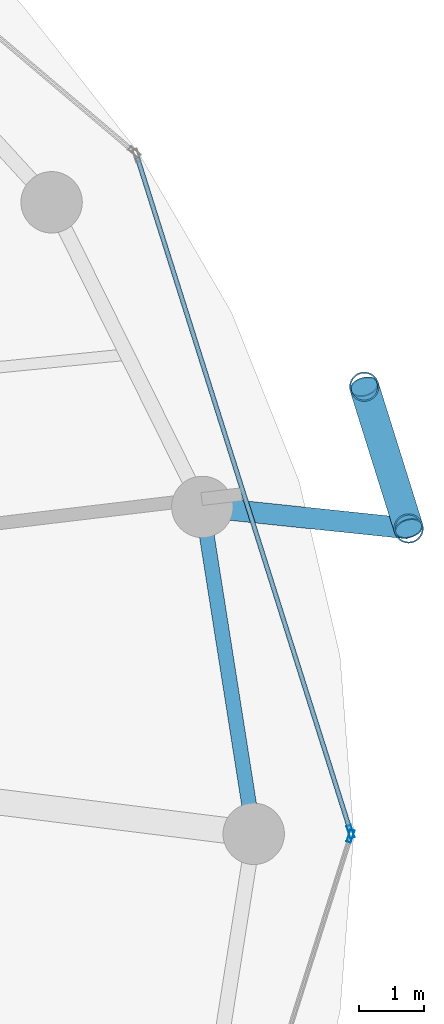
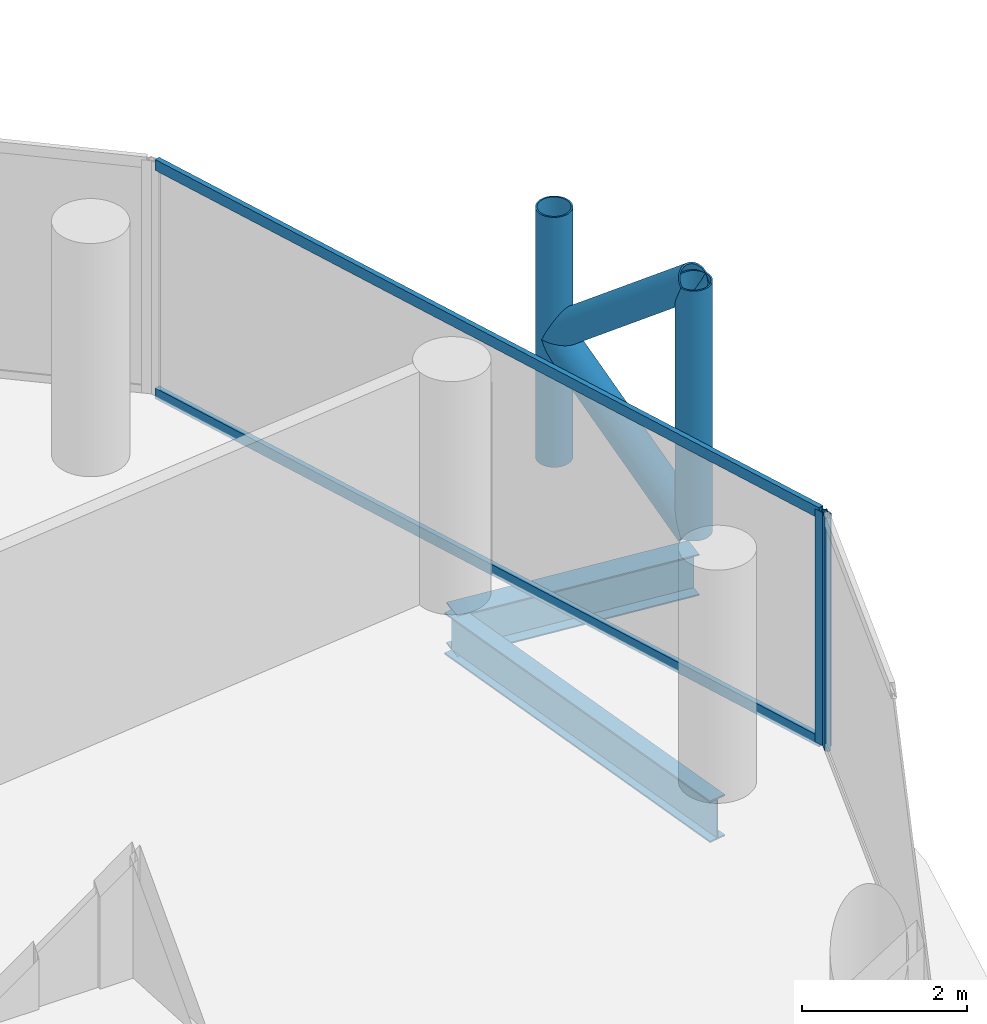
# One storey, part 12 of 26: 8 members, 2 beams, 2 elements without a shape of their own.
"""IFC4 building model written with IfcOpenShell, lengths in metres."""

from ifc_helpers import new_model, si_unit, direction, frame, origin, origin_2d, place, context, subcontext, project, spatial, hollow_rectangle, hollow_circle, i_section, extrude, material, layer, layer_set, material_profile, profile_set, type_object, element, aggregate, save


model = new_model("IFC4")

# Units and contexts
model_context = context("Model", 3, precision=1e-05, world=origin(), true_north=direction((0.0, 1.0)))
body_context = subcontext(model_context, "Body", "Model", "MODEL_VIEW")
ifc_project = project(units=[si_unit("LENGTHUNIT", "METRE"), si_unit("AREAUNIT", "SQUARE_METRE"), si_unit("VOLUMEUNIT", "CUBIC_METRE"), si_unit("PLANEANGLEUNIT", "RADIAN"), si_unit("MASSUNIT", "GRAM", prefix="KILO")], contexts=[model_context])

# Site, building, storey
site_placement = place(None, origin())
site = spatial("IfcSite", under=ifc_project, at=site_placement, CompositionType="ELEMENT")
building_placement = place(site_placement, origin())
building = spatial("IfcBuilding", under=site, at=building_placement, Name="Nuhasar Tower", CompositionType="ELEMENT")
storey_placement = place(building_placement, frame((0.0, 0.0, 118.25)))
storey = spatial("IfcBuildingStorey", under=building, at=storey_placement, Name="L27", CompositionType="ELEMENT", Elevation=118.25)

# Beams
ifc_material_1 = material(Name="Steel S355", Category="steel")
ifc_material_profile_1 = material_profile(ifc_material_1, i_section(OverallWidth=0.22998046875, OverallDepth=0.616943359375, WebThickness=0.01318359375, FlangeThickness=0.022216796875, at=origin_2d()), Name="W24X94")
ifc_profile_set_1 = profile_set([ifc_material_profile_1], Name="Steel S355")
beam_type_1 = type_object("IfcBeamType", Name="BM-RING-W24X94", PredefinedType="SPANDREL", material=ifc_profile_set_1)
beam_1_placement = place(storey_placement, frame((62.35009765625, 26.800048828125, -0.55810546875), z_axis=(-0.155426543608, 0.987847452566, 0.0), x_axis=(-0.987847452566, -0.155426543608, 0.0)))
element("IfcBeam", 1, at=beam_1_placement, inside=storey, type_object=beam_type_1, Name="L27 Perimeter Ring Spandrel 01", PredefinedType="SPANDREL", context=body_context, shape_type="SweptSolid", body=[
    extrude(i_section(OverallWidth=0.22998046875, OverallDepth=0.616943359375, WebThickness=0.01318359375, FlangeThickness=0.022216796875, at=origin_2d()), origin(), (0.0, 0.0, 1.0), 5.122314453125),
])
ifc_material_profile_2 = material_profile(ifc_material_1, i_section(OverallWidth=0.323974609375, OverallDepth=0.611083984375, WebThickness=0.0126953125, FlangeThickness=0.01904296875, at=origin_2d()), Name="W24X104")
ifc_profile_set_2 = profile_set([ifc_material_profile_2], Name="Steel S355")
beam_type_2 = type_object("IfcBeamType", Name="BM-TIE-W24X104", PredefinedType="BEAM", material=ifc_profile_set_2)
beam_2_placement = place(storey_placement, frame((61.553955078125, 31.860107421875, -0.554931640625), z_axis=(0.994569828715, -0.104071397654, 0.0), x_axis=(0.104071397654, 0.994569828715, 0.0)))
element("IfcBeam", 2, at=beam_2_placement, inside=storey, type_object=beam_type_2, Name="L27 Exoskeleton Node Tie Beam 01", PredefinedType="BEAM", context=body_context, shape_type="SweptSolid", body=[
    extrude(i_section(OverallWidth=0.323974609375, OverallDepth=0.611083984375, WebThickness=0.0126953125, FlangeThickness=0.01904296875, at=origin_2d()), origin(), (0.0, 0.0, 1.0), 3.21142578125),
])

# Curtain wall, member
ifc_material_2 = material(Name="Aluminium 6063-T6", Category="aluminium")
ifc_layer = layer(ifc_material_2, 0.199951171875)
ifc_layer_set = layer_set([ifc_layer], Name="Aluminium 6063-T6")
curtain_wall_type = type_object("IfcCurtainWallType", Name="CW-Z2-HTL", PredefinedType="NOTDEFINED", material=ifc_layer_set)
curtain_wall_1_placement = place(storey_placement, origin())
curtain_wall_1 = element("IfcCurtainWall", 3, at=curtain_wall_1_placement, inside=storey, type_object=curtain_wall_type, Name="L27 Unitised Curtain Wall 01", PredefinedType="NOTDEFINED")
ifc_material_profile_3 = material_profile(ifc_material_2, hollow_rectangle(XDim=0.070068359375, YDim=0.199951171875, WallThickness=0.0048828125, at=origin_2d()), Name="CWM-3")
ifc_profile_set_3 = profile_set([ifc_material_profile_3], Name="Aluminium 6063-T6")
member_type_1 = type_object("IfcMemberType", Name="CW-MUL-S3", PredefinedType="MULLION", material=ifc_profile_set_3)
member_1_placement = place(storey_placement, frame((63.849365234375, 26.833251953125, 0.0), z_axis=(0.0, 0.0, 1.0), x_axis=(-0.953433389233, -0.301603667577, 0.0)))
member_1 = element("IfcMember", 4, at=member_1_placement, type_object=member_type_1, Name="CW-Z2 mullion 1", PredefinedType="MULLION", context=body_context, shape_type="SweptSolid", body=[
    extrude(hollow_rectangle(XDim=0.070068359375, YDim=0.199951171875, WallThickness=0.0048828125, at=origin_2d()), origin(), (0.0, 0.0, 1.0), 3.449951171875),
])

curtain_wall_2_placement = place(storey_placement, origin())
curtain_wall_2 = element("IfcCurtainWall", 5, at=curtain_wall_2_placement, inside=storey, type_object=curtain_wall_type, Name="L27 Unitised Curtain Wall 12", PredefinedType="NOTDEFINED")
member_2_placement = place(storey_placement, frame((63.849365234375, 26.7666015625, 0.0), z_axis=(0.0, 0.0, 1.0), x_axis=(-0.953433389233, 0.301603667577, 0.0)))
member_2 = element("IfcMember", 6, at=member_2_placement, type_object=member_type_1, Name="CW-Z2 mullion 2", PredefinedType="MULLION", context=body_context, shape_type="SweptSolid", body=[
    extrude(hollow_rectangle(XDim=0.070068359375, YDim=0.199951171875, WallThickness=0.0048828125, at=origin_2d()), origin(), (0.0, 0.0, 1.0), 3.449951171875),
])
aggregate(curtain_wall_2, [member_2])

# Member
ifc_material_profile_4 = material_profile(ifc_material_2, hollow_rectangle(XDim=0.070068359375, YDim=0.159912109375, WallThickness=0.00439453125, at=origin_2d()), Name="CWT-3")
ifc_profile_set_4 = profile_set([ifc_material_profile_4], Name="Aluminium 6063-T6")
member_type_2 = type_object("IfcMemberType", Name="CW-TRN-S3", PredefinedType="USERDEFINED", material=ifc_profile_set_4)
member_3_placement = place(storey_placement, frame((63.8388671875, 26.86669921875, 0.034912109375), z_axis=(-0.301608163352, 0.953431967053, 0.0), x_axis=(-0.953431967053, -0.301608163352, 0.0)))
member_3 = element("IfcMember", 7, at=member_3_placement, type_object=member_type_2, Name="CW-Z2 transom 1.1", ObjectType="TRANSOM", PredefinedType="USERDEFINED", context=body_context, shape_type="SweptSolid", body=[
    extrude(hollow_rectangle(XDim=0.070068359375, YDim=0.159912109375, WallThickness=0.00439453125, at=origin_2d()), origin(), (0.0, 0.0, 1.0), 10.904296875),
])

member_4_placement = place(storey_placement, frame((63.8388671875, 26.86669921875, 3.4150390625), z_axis=(-0.301608163352, 0.953431967053, 0.0), x_axis=(-0.953431967053, -0.301608163352, 0.0)))
member_4 = element("IfcMember", 8, at=member_4_placement, type_object=member_type_2, Name="CW-Z2 transom 1.2", ObjectType="TRANSOM", PredefinedType="USERDEFINED", context=body_context, shape_type="SweptSolid", body=[
    extrude(hollow_rectangle(XDim=0.070068359375, YDim=0.159912109375, WallThickness=0.00439453125, at=origin_2d()), origin(), (0.0, 0.0, 1.0), 10.904296875),
])

aggregate(curtain_wall_1, [member_1, member_3, member_4])

# Members
ifc_material_3 = material(Name="Steel S460", Category="steel")
ifc_material_profile_5 = material_profile(ifc_material_3, hollow_circle(Radius=0.228515625, WallThickness=0.022216796875, at=origin_2d()), Name="HSS457X22.2")
ifc_profile_set_5 = profile_set([ifc_material_profile_5], Name="Steel S460")
member_type_3 = type_object("IfcMemberType", Name="EXO-BRONZE-457", PredefinedType="BRACE", material=ifc_profile_set_5)
for number, where, z_axis, x_axis, name in (
    (9, (64.748046875, 31.52587890625, 0.0), (0.0, 0.0, 1.0), (1.0, 0.0, 0.0), "L27 Exoskeleton Chord Column EC-01A"),
    (10, (64.06005859375, 33.720947265625, 0.0), (0.0, 0.0, 1.0), (1.0, 0.0, 0.0), "L27 Exoskeleton Chord Column EC-01B"),
):
    element("IfcMember", number, at=place(storey_placement, frame(where, z_axis=z_axis, x_axis=x_axis)), inside=storey, type_object=member_type_3, Name=name, PredefinedType="BRACE", context=body_context, shape_type="SweptSolid", body=[
        extrude(hollow_circle(Radius=0.228515625, WallThickness=0.022216796875, at=origin_2d()), origin(), (0.0, 0.0, 1.0), 3.699951171875),
    ])
member_5_placement = place(storey_placement, frame((64.748046875, 31.52587890625, 0.0), z_axis=(-0.233055548538, 0.743577869731, 0.626719285599), x_axis=(-0.954228474306, -0.29907861646, 0.0)))
element("IfcMember", 11, at=member_5_placement, inside=storey, type_object=member_type_3, Name="L27 Bronze Diagrid Brace W1-01", PredefinedType="BRACE", context=body_context, shape_type="SweptSolid", body=[
    extrude(hollow_circle(Radius=0.228515625, WallThickness=0.022216796875, at=origin_2d()), origin(), (0.0, 0.0, 1.0), 2.9521484375),
])
member_6_placement = place(storey_placement, frame((64.06005859375, 33.720947265625, 1.85009765625), z_axis=(0.233067628236, -0.74361641074, 0.626669062861), x_axis=(0.954228474306, 0.29907861646, 0.0)))
element("IfcMember", 12, at=member_6_placement, inside=storey, type_object=member_type_3, Name="L27 Bronze Diagrid Brace W2-01", PredefinedType="BRACE", context=body_context, shape_type="SweptSolid", body=[
    extrude(hollow_circle(Radius=0.228515625, WallThickness=0.022216796875, at=origin_2d()), origin(), (0.0, 0.0, 1.0), 2.951904296875),
])

save(model, "model.ifc")
